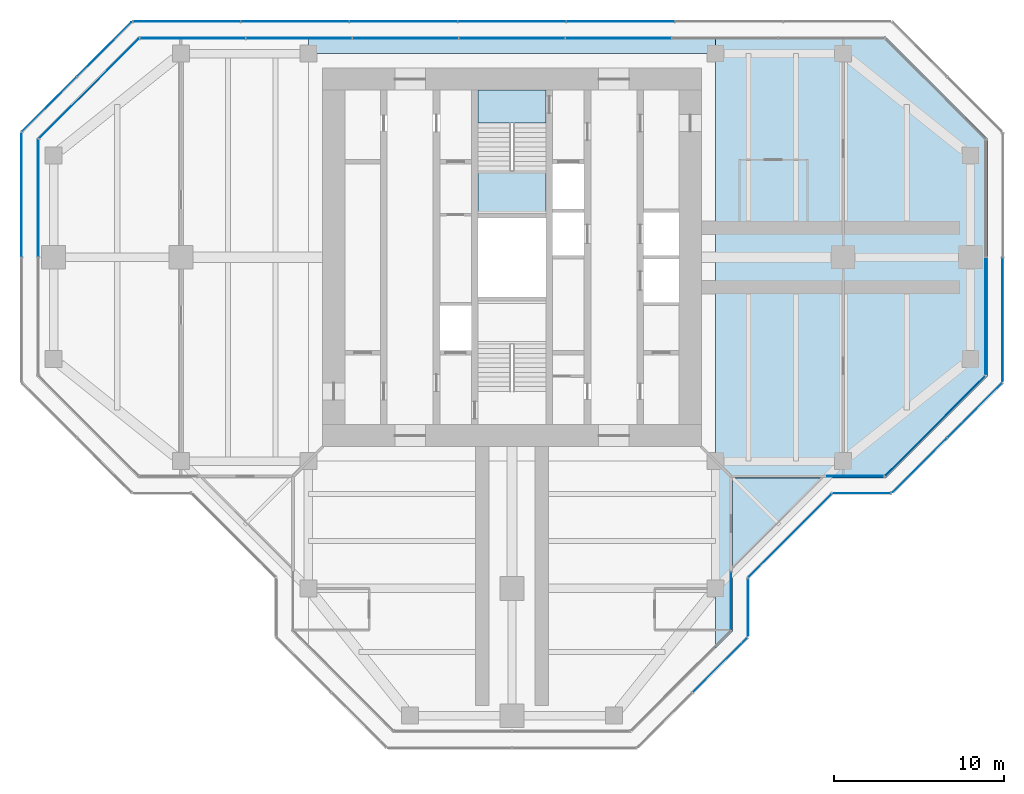
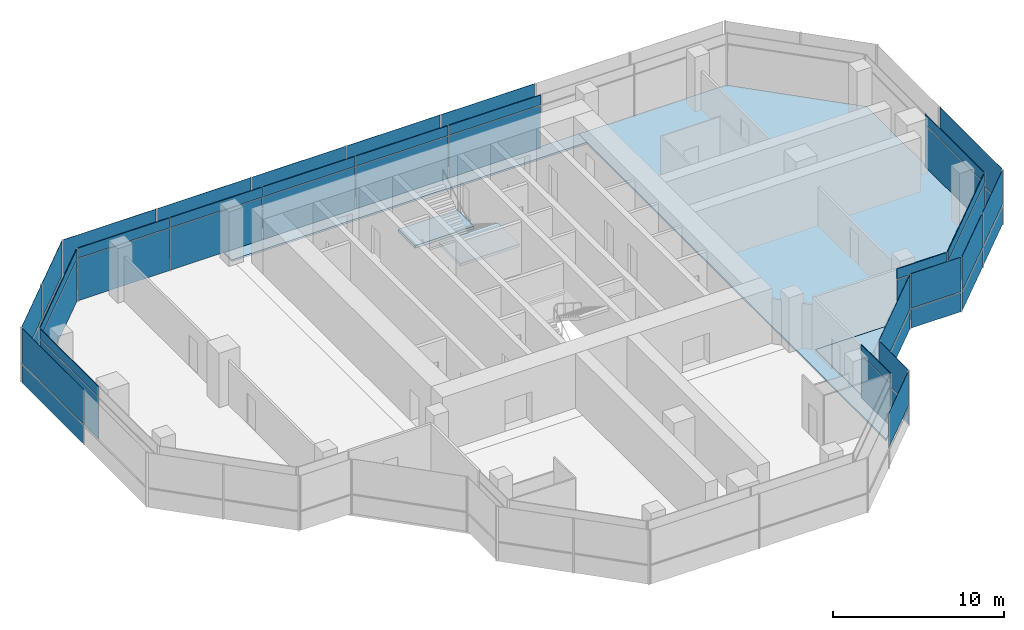
# One storey, part 10 of 15: 51 plates, 5 slabs, 17 elements without a shape of their own.
"""IFC4 building model written with IfcOpenShell, lengths in metres."""

from ifc_helpers import new_model, si_unit, direction, frame, origin, origin_2d, place, context, subcontext, project, spatial, polyline, rectangle, outline, extrude, material, layer, layer_set, type_object, element, aggregate, save


model = new_model("IFC4")

# Units and contexts
model_context = context("Model", 3, precision=1e-05, world=origin(), true_north=direction((0.0, 1.0)))
body_context = subcontext(model_context, "Body", "Model", "MODEL_VIEW")
ifc_project = project(units=[si_unit("LENGTHUNIT", "METRE"), si_unit("AREAUNIT", "SQUARE_METRE"), si_unit("VOLUMEUNIT", "CUBIC_METRE"), si_unit("PLANEANGLEUNIT", "RADIAN"), si_unit("MASSUNIT", "GRAM", prefix="KILO")], contexts=[model_context])

# Site, building, storey
site_placement = place(None, origin())
site = spatial("IfcSite", under=ifc_project, at=site_placement, CompositionType="ELEMENT")
building_placement = place(site_placement, origin())
building = spatial("IfcBuilding", under=site, at=building_placement, Name="Mizan Broadcast Tower", CompositionType="ELEMENT")
storey_placement = place(building_placement, frame((0.0, 0.0, 298.5)))
storey = spatial("IfcBuildingStorey", under=building, at=storey_placement, Name="L71", CompositionType="ELEMENT", Elevation=298.5)

# Slabs
ifc_material_1 = material(Name="Concrete C32/40", Category="concrete")
ifc_layer_1 = layer(ifc_material_1, 0.1298828125)
ifc_layer_set_1 = layer_set([ifc_layer_1], Name="Concrete C32/40")
slab_type_1 = type_object("IfcSlabType", Name="COMPOSITE DECK SLAB 130", PredefinedType="FLOOR", material=ifc_layer_set_1)
slab_1_placement = place(storey_placement, frame((0.0, 0.0, -0.1298828125)))
element("IfcSlab", 1, at=slab_1_placement, inside=storey, type_object=slab_type_1, Name="Floor slab L71 east arm", PredefinedType="FLOOR", context=body_context, shape_type="SweptSolid", body=[
    extrude(outline(polyline([(12.0, -23.0), (13.0, -22.0), (13.0, -13.0), (22.0, -13.0), (28.0, -7.0), (28.0, 7.0), (22.0, 13.0), (13.0, 13.0), (12.0, 13.0), (12.0, -23.0)])), origin(), (0.0, 0.0, 1.0), 0.1298828125),
])
slab_2_placement = place(storey_placement, frame((0.0, 0.0, -0.1298828125)))
element("IfcSlab", 2, at=slab_2_placement, inside=storey, type_object=slab_type_1, Name="Floor slab L71 north arm", PredefinedType="FLOOR", context=body_context, shape_type="SweptSolid", body=[
    extrude(outline(polyline([(12.0, 13.0), (-12.0, 13.0), (-12.0, 12.0), (12.0, 12.0), (12.0, 13.0)])), origin(), (0.0, 0.0, 1.0), 0.1298828125),
])

# Curtain wall, plate
ifc_material_2 = material(Name="Aluminium framed glazing", Category="aluminium")
curtain_wall_type_1 = type_object("IfcCurtainWallType", Name="INNER SKIN TOP ZONE", PredefinedType="USERDEFINED", material=ifc_material_2)
curtain_wall_1_placement = place(storey_placement, origin())
curtain_wall_1 = element("IfcCurtainWall", 3, at=curtain_wall_1_placement, inside=storey, type_object=curtain_wall_type_1, Name="Inner skin top zone L71 E side", ObjectType="INNER SKIN TOP ZONE", PredefinedType="USERDEFINED")
ifc_material_3 = material(Name="Double glazing, clear low-e", Category="glass")
ifc_layer_2 = layer(ifc_material_3, 0.028076171875)
ifc_layer_set_2 = layer_set([ifc_layer_2], Name="Double glazing, clear low-e")
plate_type_1 = type_object("IfcPlateType", Name="INNER SKIN GLAZING UNIT", PredefinedType="CURTAIN_PANEL", material=ifc_layer_set_2)
plate_1_placement = place(storey_placement, frame((20.229248046875, -12.89990234375, 0.0), z_axis=(0.0, 0.0, 1.0), x_axis=(1.0, 0.0, 0.0)))
plate_1 = element("IfcPlate", 4, at=plate_1_placement, type_object=plate_type_1, Name="Inner skin top zone L71 E side panel 1.1", PredefinedType="CURTAIN_PANEL", context=body_context, shape_type="SweptSolid", body=[
    extrude(rectangle(XDim=3.338623046875, YDim=0.028076171875, at=origin_2d()), origin(), (0.0, 0.0, 1.0), 3.0),
])

curtain_wall_2_placement = place(storey_placement, origin())
curtain_wall_2 = element("IfcCurtainWall", 5, at=curtain_wall_2_placement, inside=storey, type_object=curtain_wall_type_1, Name="Inner skin top zone L71 E chamfer", ObjectType="INNER SKIN TOP ZONE", PredefinedType="USERDEFINED")
plate_2_placement = place(storey_placement, frame((24.92919921875, -9.92919921875, 0.0), z_axis=(0.0, 0.0, 1.0), x_axis=(0.707106781187, 0.707106781187, 0.0)))
plate_2 = element("IfcPlate", 6, at=plate_2_placement, type_object=plate_type_1, Name="Inner skin top zone L71 E chamfer panel 1.1", PredefinedType="CURTAIN_PANEL", context=body_context, shape_type="SweptSolid", body=[
    extrude(rectangle(XDim=8.282470703125, YDim=0.028076171875, at=origin_2d()), origin(), (0.0, 0.0, 1.0), 3.0),
])

curtain_wall_3_placement = place(storey_placement, origin())
curtain_wall_3 = element("IfcCurtainWall", 7, at=curtain_wall_3_placement, inside=storey, type_object=curtain_wall_type_1, Name="Inner skin top zone L71 E end", ObjectType="INNER SKIN TOP ZONE", PredefinedType="USERDEFINED")
plate_3_placement = place(storey_placement, frame((27.89990234375, -3.46435546875, 0.0), z_axis=(0.0, 0.0, 1.0), x_axis=(0.0, 1.0, 0.0)))
plate_3 = element("IfcPlate", 8, at=plate_3_placement, type_object=plate_type_1, Name="Inner skin top zone L71 E end panel 1.1", PredefinedType="CURTAIN_PANEL", context=body_context, shape_type="SweptSolid", body=[
    extrude(rectangle(XDim=6.86865234375, YDim=0.028076171875, at=origin_2d()), origin(), (0.0, 0.0, 1.0), 3.0),
])

# Curtain wall, plates
curtain_wall_4_placement = place(storey_placement, origin())
curtain_wall_4 = element("IfcCurtainWall", 9, at=curtain_wall_4_placement, inside=storey, type_object=curtain_wall_type_1, Name="Inner skin top zone L71 N end", ObjectType="INNER SKIN TOP ZONE", PredefinedType="USERDEFINED")
plate_4_placement = place(storey_placement, frame((6.27392578125, 12.89990234375, 0.0), z_axis=(0.0, 0.0, 1.0), x_axis=(-1.0, 0.0, 0.0)))
plate_4 = element("IfcPlate", 10, at=plate_4_placement, type_object=plate_type_1, Name="Inner skin top zone L71 N end panel 3.1", PredefinedType="CURTAIN_PANEL", context=body_context, shape_type="SweptSolid", body=[
    extrude(rectangle(XDim=6.2138671875, YDim=0.028076171875, at=origin_2d()), origin(), (0.0, 0.0, 1.0), 3.0),
])
plate_5_placement = place(storey_placement, frame((0.0, 12.89990234375, 0.0), z_axis=(0.0, 0.0, 1.0), x_axis=(-1.0, 0.0, 0.0)))
plate_5 = element("IfcPlate", 11, at=plate_5_placement, type_object=plate_type_1, Name="Inner skin top zone L71 N end panel 4.1", PredefinedType="CURTAIN_PANEL", context=body_context, shape_type="SweptSolid", body=[
    extrude(rectangle(XDim=6.2138671875, YDim=0.028076171875, at=origin_2d()), origin(), (0.0, 0.0, 1.0), 3.0),
])
plate_6_placement = place(storey_placement, frame((-6.27392578125, 12.89990234375, 0.0), z_axis=(0.0, 0.0, 1.0), x_axis=(-1.0, 0.0, 0.0)))
plate_6 = element("IfcPlate", 12, at=plate_6_placement, type_object=plate_type_1, Name="Inner skin top zone L71 N end panel 5.1", PredefinedType="CURTAIN_PANEL", context=body_context, shape_type="SweptSolid", body=[
    extrude(rectangle(XDim=6.2138671875, YDim=0.028076171875, at=origin_2d()), origin(), (0.0, 0.0, 1.0), 3.0),
])
plate_7_placement = place(storey_placement, frame((-12.5478515625, 12.89990234375, 0.0), z_axis=(0.0, 0.0, 1.0), x_axis=(-1.0, 0.0, 0.0)))
plate_7 = element("IfcPlate", 13, at=plate_7_placement, type_object=plate_type_1, Name="Inner skin top zone L71 N end panel 6.1", PredefinedType="CURTAIN_PANEL", context=body_context, shape_type="SweptSolid", body=[
    extrude(rectangle(XDim=6.2138671875, YDim=0.028076171875, at=origin_2d()), origin(), (0.0, 0.0, 1.0), 3.0),
])
plate_8_placement = place(storey_placement, frame((-18.806640625, 12.89990234375, 0.0), z_axis=(0.0, 0.0, 1.0), x_axis=(-1.0, 0.0, 0.0)))
plate_8 = element("IfcPlate", 14, at=plate_8_placement, type_object=plate_type_1, Name="Inner skin top zone L71 N end panel 7.1", PredefinedType="CURTAIN_PANEL", context=body_context, shape_type="SweptSolid", body=[
    extrude(rectangle(XDim=6.183837890625, YDim=0.028076171875, at=origin_2d()), origin(), (0.0, 0.0, 1.0), 3.0),
])

# Curtain wall, plate
curtain_wall_5_placement = place(storey_placement, origin())
curtain_wall_5 = element("IfcCurtainWall", 15, at=curtain_wall_5_placement, inside=storey, type_object=curtain_wall_type_1, Name="Inner skin top zone L71 W chamfer", ObjectType="INNER SKIN TOP ZONE", PredefinedType="USERDEFINED")
plate_9_placement = place(storey_placement, frame((-24.92919921875, 9.92919921875, 0.0), z_axis=(0.0, 0.0, 1.0), x_axis=(-0.707106781187, -0.707106781187, 0.0)))
plate_9 = element("IfcPlate", 16, at=plate_9_placement, type_object=plate_type_1, Name="Inner skin top zone L71 W chamfer panel 1.1", PredefinedType="CURTAIN_PANEL", context=body_context, shape_type="SweptSolid", body=[
    extrude(rectangle(XDim=8.282470703125, YDim=0.028076171875, at=origin_2d()), origin(), (0.0, 0.0, 1.0), 3.0),
])

curtain_wall_6_placement = place(storey_placement, origin())
curtain_wall_6 = element("IfcCurtainWall", 17, at=curtain_wall_6_placement, inside=storey, type_object=curtain_wall_type_1, Name="Inner skin top zone L71 W end", ObjectType="INNER SKIN TOP ZONE", PredefinedType="USERDEFINED")
plate_10_placement = place(storey_placement, frame((-27.89990234375, 3.46435546875, 0.0), z_axis=(0.0, 0.0, 1.0), x_axis=(0.0, -1.0, 0.0)))
plate_10 = element("IfcPlate", 18, at=plate_10_placement, type_object=plate_type_1, Name="Inner skin top zone L71 W end panel 1.1", PredefinedType="CURTAIN_PANEL", context=body_context, shape_type="SweptSolid", body=[
    extrude(rectangle(XDim=6.86865234375, YDim=0.028076171875, at=origin_2d()), origin(), (0.0, 0.0, 1.0), 3.0),
])

curtain_wall_7_placement = place(storey_placement, origin())
curtain_wall_7 = element("IfcCurtainWall", 19, at=curtain_wall_7_placement, inside=storey, type_object=curtain_wall_type_1, Name="Inner skin top zone L71 S side", ObjectType="INNER SKIN TOP ZONE", PredefinedType="USERDEFINED")
plate_11_placement = place(storey_placement, frame((12.89990234375, -20.229248046875, 0.0), z_axis=(0.0, 0.0, 1.0), x_axis=(0.0, 1.0, 0.0)))
plate_11 = element("IfcPlate", 20, at=plate_11_placement, type_object=plate_type_1, Name="Inner skin top zone L71 S side panel 1.1", PredefinedType="CURTAIN_PANEL", context=body_context, shape_type="SweptSolid", body=[
    extrude(rectangle(XDim=3.338623046875, YDim=0.028076171875, at=origin_2d()), origin(), (0.0, 0.0, 1.0), 3.0),
])

# Plate
ifc_material_4 = material(Name="Insulated aluminium spandrel panel, pale anodised", Category="aluminium")
ifc_layer_3 = layer(ifc_material_4, 0.050048828125)
ifc_layer_set_3 = layer_set([ifc_layer_3], Name="Insulated aluminium spandrel panel, pale anodised")
plate_type_2 = type_object("IfcPlateType", Name="INNER SKIN SPANDREL PANEL", PredefinedType="CURTAIN_PANEL", material=ifc_layer_set_3)
plate_12_placement = place(storey_placement, frame((20.229248046875, -12.89990234375, 3.06005859375), z_axis=(0.0, 0.0, 1.0), x_axis=(1.0, 0.0, 0.0)))
plate_12 = element("IfcPlate", 21, at=plate_12_placement, type_object=plate_type_2, Name="Inner skin top zone L71 E side panel 1.2", PredefinedType="CURTAIN_PANEL", context=body_context, shape_type="SweptSolid", body=[
    extrude(rectangle(XDim=3.338623046875, YDim=0.050048828125, at=origin_2d()), origin(), (0.0, 0.0, 1.0), 0.7099609375),
])

aggregate(curtain_wall_1, [plate_1, plate_12])

plate_13_placement = place(storey_placement, frame((24.92919921875, -9.92919921875, 3.06005859375), z_axis=(0.0, 0.0, 1.0), x_axis=(0.707106781187, 0.707106781187, 0.0)))
plate_13 = element("IfcPlate", 22, at=plate_13_placement, type_object=plate_type_2, Name="Inner skin top zone L71 E chamfer panel 1.2", PredefinedType="CURTAIN_PANEL", context=body_context, shape_type="SweptSolid", body=[
    extrude(rectangle(XDim=8.282470703125, YDim=0.050048828125, at=origin_2d()), origin(), (0.0, 0.0, 1.0), 0.7099609375),
])

aggregate(curtain_wall_2, [plate_2, plate_13])

plate_14_placement = place(storey_placement, frame((27.89990234375, -3.46435546875, 3.06005859375), z_axis=(0.0, 0.0, 1.0), x_axis=(0.0, 1.0, 0.0)))
plate_14 = element("IfcPlate", 23, at=plate_14_placement, type_object=plate_type_2, Name="Inner skin top zone L71 E end panel 1.2", PredefinedType="CURTAIN_PANEL", context=body_context, shape_type="SweptSolid", body=[
    extrude(rectangle(XDim=6.86865234375, YDim=0.050048828125, at=origin_2d()), origin(), (0.0, 0.0, 1.0), 0.7099609375),
])

aggregate(curtain_wall_3, [plate_3, plate_14])

plate_15_placement = place(storey_placement, frame((6.27392578125, 12.89990234375, 3.06005859375), z_axis=(0.0, 0.0, 1.0), x_axis=(-1.0, 0.0, 0.0)))
plate_15 = element("IfcPlate", 24, at=plate_15_placement, type_object=plate_type_2, Name="Inner skin top zone L71 N end panel 3.2", PredefinedType="CURTAIN_PANEL", context=body_context, shape_type="SweptSolid", body=[
    extrude(rectangle(XDim=6.2138671875, YDim=0.050048828125, at=origin_2d()), origin(), (0.0, 0.0, 1.0), 0.7099609375),
])

plate_16_placement = place(storey_placement, frame((0.0, 12.89990234375, 3.06005859375), z_axis=(0.0, 0.0, 1.0), x_axis=(-1.0, 0.0, 0.0)))
plate_16 = element("IfcPlate", 25, at=plate_16_placement, type_object=plate_type_2, Name="Inner skin top zone L71 N end panel 4.2", PredefinedType="CURTAIN_PANEL", context=body_context, shape_type="SweptSolid", body=[
    extrude(rectangle(XDim=6.2138671875, YDim=0.050048828125, at=origin_2d()), origin(), (0.0, 0.0, 1.0), 0.7099609375),
])

plate_17_placement = place(storey_placement, frame((-6.27392578125, 12.89990234375, 3.06005859375), z_axis=(0.0, 0.0, 1.0), x_axis=(-1.0, 0.0, 0.0)))
plate_17 = element("IfcPlate", 26, at=plate_17_placement, type_object=plate_type_2, Name="Inner skin top zone L71 N end panel 5.2", PredefinedType="CURTAIN_PANEL", context=body_context, shape_type="SweptSolid", body=[
    extrude(rectangle(XDim=6.2138671875, YDim=0.050048828125, at=origin_2d()), origin(), (0.0, 0.0, 1.0), 0.7099609375),
])

plate_18_placement = place(storey_placement, frame((-12.5478515625, 12.89990234375, 3.06005859375), z_axis=(0.0, 0.0, 1.0), x_axis=(-1.0, 0.0, 0.0)))
plate_18 = element("IfcPlate", 27, at=plate_18_placement, type_object=plate_type_2, Name="Inner skin top zone L71 N end panel 6.2", PredefinedType="CURTAIN_PANEL", context=body_context, shape_type="SweptSolid", body=[
    extrude(rectangle(XDim=6.2138671875, YDim=0.050048828125, at=origin_2d()), origin(), (0.0, 0.0, 1.0), 0.7099609375),
])

plate_19_placement = place(storey_placement, frame((-18.806640625, 12.89990234375, 3.06005859375), z_axis=(0.0, 0.0, 1.0), x_axis=(-1.0, 0.0, 0.0)))
plate_19 = element("IfcPlate", 28, at=plate_19_placement, type_object=plate_type_2, Name="Inner skin top zone L71 N end panel 7.2", PredefinedType="CURTAIN_PANEL", context=body_context, shape_type="SweptSolid", body=[
    extrude(rectangle(XDim=6.183837890625, YDim=0.050048828125, at=origin_2d()), origin(), (0.0, 0.0, 1.0), 0.7099609375),
])

aggregate(curtain_wall_4, [plate_4, plate_15, plate_5, plate_16, plate_6, plate_17, plate_7, plate_18, plate_8, plate_19])

plate_20_placement = place(storey_placement, frame((-24.92919921875, 9.92919921875, 3.06005859375), z_axis=(0.0, 0.0, 1.0), x_axis=(-0.707106781187, -0.707106781187, 0.0)))
plate_20 = element("IfcPlate", 29, at=plate_20_placement, type_object=plate_type_2, Name="Inner skin top zone L71 W chamfer panel 1.2", PredefinedType="CURTAIN_PANEL", context=body_context, shape_type="SweptSolid", body=[
    extrude(rectangle(XDim=8.282470703125, YDim=0.050048828125, at=origin_2d()), origin(), (0.0, 0.0, 1.0), 0.7099609375),
])

aggregate(curtain_wall_5, [plate_9, plate_20])

plate_21_placement = place(storey_placement, frame((-27.89990234375, 3.46435546875, 3.06005859375), z_axis=(0.0, 0.0, 1.0), x_axis=(0.0, -1.0, 0.0)))
plate_21 = element("IfcPlate", 30, at=plate_21_placement, type_object=plate_type_2, Name="Inner skin top zone L71 W end panel 1.2", PredefinedType="CURTAIN_PANEL", context=body_context, shape_type="SweptSolid", body=[
    extrude(rectangle(XDim=6.86865234375, YDim=0.050048828125, at=origin_2d()), origin(), (0.0, 0.0, 1.0), 0.7099609375),
])

aggregate(curtain_wall_6, [plate_10, plate_21])

plate_22_placement = place(storey_placement, frame((12.89990234375, -20.229248046875, 3.06005859375), z_axis=(0.0, 0.0, 1.0), x_axis=(0.0, 1.0, 0.0)))
plate_22 = element("IfcPlate", 31, at=plate_22_placement, type_object=plate_type_2, Name="Inner skin top zone L71 S side panel 1.2", PredefinedType="CURTAIN_PANEL", context=body_context, shape_type="SweptSolid", body=[
    extrude(rectangle(XDim=3.338623046875, YDim=0.050048828125, at=origin_2d()), origin(), (0.0, 0.0, 1.0), 0.7099609375),
])

aggregate(curtain_wall_7, [plate_11, plate_22])

# Curtain wall, plates
ifc_material_5 = material(Name="Aluminium framed glazing", Category="aluminium")
curtain_wall_type_2 = type_object("IfcCurtainWallType", Name="OUTER SKIN", PredefinedType="USERDEFINED", material=ifc_material_5)
curtain_wall_8_placement = place(storey_placement, origin())
curtain_wall_8 = element("IfcCurtainWall", 32, at=curtain_wall_8_placement, inside=storey, type_object=curtain_wall_type_2, Name="Outer skin L71 S side", ObjectType="OUTER SKIN", PredefinedType="USERDEFINED")
ifc_material_6 = material(Name="Laminated clear glass", Category="glass")
ifc_layer_4 = layer(ifc_material_6, 0.02001953125)
ifc_layer_set_4 = layer_set([ifc_layer_4], Name="Laminated clear glass")
plate_type_3 = type_object("IfcPlateType", Name="OUTER SKIN CLEAR GLASS", PredefinedType="CURTAIN_PANEL", material=ifc_layer_set_4)
plate_23_placement = place(storey_placement, frame((13.89990234375, -20.622802734375, 0.0), z_axis=(0.0, 0.0, 1.0), x_axis=(0.0, 1.0, 0.0)))
plate_23 = element("IfcPlate", 33, at=plate_23_placement, type_object=plate_type_3, Name="Outer skin L71 S side panel 1.1", PredefinedType="CURTAIN_PANEL", context=body_context, shape_type="SweptSolid", body=[
    extrude(rectangle(XDim=3.340087890625, YDim=0.02001953125, at=origin_2d()), origin(), (0.0, 0.0, 1.0), 1.3701171875),
])
plate_24_placement = place(storey_placement, frame((13.89990234375, -20.622802734375, 1.43017578125), z_axis=(0.0, 0.0, 1.0), x_axis=(0.0, 1.0, 0.0)))
plate_24 = element("IfcPlate", 34, at=plate_24_placement, type_object=plate_type_3, Name="Outer skin L71 S side panel 1.2", PredefinedType="CURTAIN_PANEL", context=body_context, shape_type="SweptSolid", body=[
    extrude(rectangle(XDim=3.340087890625, YDim=0.02001953125, at=origin_2d()), origin(), (0.0, 0.0, 1.0), 2.469970703125),
])
aggregate(curtain_wall_8, [plate_23, plate_24])

curtain_wall_9_placement = place(storey_placement, origin())
curtain_wall_9 = element("IfcCurtainWall", 35, at=curtain_wall_9_placement, inside=storey, type_object=curtain_wall_type_2, Name="Outer skin L71 E chamfer", ObjectType="OUTER SKIN", PredefinedType="USERDEFINED")
plate_25_placement = place(storey_placement, frame((16.386474609375, -16.386474609375, 0.0), z_axis=(0.0, 0.0, 1.0), x_axis=(0.707106781187, 0.707106781187, 0.0)))
plate_25 = element("IfcPlate", 36, at=plate_25_placement, type_object=plate_type_3, Name="Outer skin L71 E chamfer panel 1.1", PredefinedType="CURTAIN_PANEL", context=body_context, shape_type="SweptSolid", body=[
    extrude(rectangle(XDim=6.87255859375, YDim=0.02001953125, at=origin_2d()), origin(), (0.0, 0.0, 1.0), 1.3701171875),
])
plate_26_placement = place(storey_placement, frame((16.386474609375, -16.386474609375, 1.43017578125), z_axis=(0.0, 0.0, 1.0), x_axis=(0.707106781187, 0.707106781187, 0.0)))
plate_26 = element("IfcPlate", 37, at=plate_26_placement, type_object=plate_type_3, Name="Outer skin L71 E chamfer panel 1.2", PredefinedType="CURTAIN_PANEL", context=body_context, shape_type="SweptSolid", body=[
    extrude(rectangle(XDim=6.87255859375, YDim=0.02001953125, at=origin_2d()), origin(), (0.0, 0.0, 1.0), 2.469970703125),
])
aggregate(curtain_wall_9, [plate_25, plate_26])

curtain_wall_10_placement = place(storey_placement, origin())
curtain_wall_10 = element("IfcCurtainWall", 38, at=curtain_wall_10_placement, inside=storey, type_object=curtain_wall_type_2, Name="Outer skin L71 E side", ObjectType="OUTER SKIN", PredefinedType="USERDEFINED")
plate_27_placement = place(storey_placement, frame((20.622802734375, -13.89990234375, 0.0), z_axis=(0.0, 0.0, 1.0), x_axis=(1.0, 0.0, 0.0)))
plate_27 = element("IfcPlate", 39, at=plate_27_placement, type_object=plate_type_3, Name="Outer skin L71 E side panel 1.1", PredefinedType="CURTAIN_PANEL", context=body_context, shape_type="SweptSolid", body=[
    extrude(rectangle(XDim=3.340087890625, YDim=0.02001953125, at=origin_2d()), origin(), (0.0, 0.0, 1.0), 1.3701171875),
])
plate_28_placement = place(storey_placement, frame((20.622802734375, -13.89990234375, 1.43017578125), z_axis=(0.0, 0.0, 1.0), x_axis=(1.0, 0.0, 0.0)))
plate_28 = element("IfcPlate", 40, at=plate_28_placement, type_object=plate_type_3, Name="Outer skin L71 E side panel 1.2", PredefinedType="CURTAIN_PANEL", context=body_context, shape_type="SweptSolid", body=[
    extrude(rectangle(XDim=3.340087890625, YDim=0.02001953125, at=origin_2d()), origin(), (0.0, 0.0, 1.0), 2.469970703125),
])
aggregate(curtain_wall_10, [plate_27, plate_28])

curtain_wall_11_placement = place(storey_placement, origin())
curtain_wall_11 = element("IfcCurtainWall", 41, at=curtain_wall_11_placement, inside=storey, type_object=curtain_wall_type_2, Name="Outer skin L71 E chamfer", ObjectType="OUTER SKIN", PredefinedType="USERDEFINED")
plate_29_placement = place(storey_placement, frame((24.018798828125, -12.254150390625, 0.0), z_axis=(0.0, 0.0, 1.0), x_axis=(0.707106781187, 0.707106781187, 0.0)))
plate_29 = element("IfcPlate", 42, at=plate_29_placement, type_object=plate_type_3, Name="Outer skin L71 E chamfer panel 1.1", PredefinedType="CURTAIN_PANEL", context=body_context, shape_type="SweptSolid", body=[
    extrude(rectangle(XDim=4.495361328125, YDim=0.02001953125, at=origin_2d()), origin(), (0.0, 0.0, 1.0), 1.3701171875),
])
plate_30_placement = place(storey_placement, frame((24.018798828125, -12.254150390625, 1.43017578125), z_axis=(0.0, 0.0, 1.0), x_axis=(0.707106781187, 0.707106781187, 0.0)))
plate_30 = element("IfcPlate", 43, at=plate_30_placement, type_object=plate_type_3, Name="Outer skin L71 E chamfer panel 1.2", PredefinedType="CURTAIN_PANEL", context=body_context, shape_type="SweptSolid", body=[
    extrude(rectangle(XDim=4.495361328125, YDim=0.02001953125, at=origin_2d()), origin(), (0.0, 0.0, 1.0), 2.469970703125),
])

curtain_wall_12_placement = place(storey_placement, origin())
curtain_wall_12 = element("IfcCurtainWall", 44, at=curtain_wall_12_placement, inside=storey, type_object=curtain_wall_type_2, Name="Outer skin L71 E end", ObjectType="OUTER SKIN", PredefinedType="USERDEFINED")
plate_31_placement = place(storey_placement, frame((28.89990234375, -3.66650390625, 0.0), z_axis=(0.0, 0.0, 1.0), x_axis=(0.0, 1.0, 0.0)))
plate_31 = element("IfcPlate", 45, at=plate_31_placement, type_object=plate_type_3, Name="Outer skin L71 E end panel 1.1", PredefinedType="CURTAIN_PANEL", context=body_context, shape_type="SweptSolid", body=[
    extrude(rectangle(XDim=7.252685546875, YDim=0.02001953125, at=origin_2d()), origin(), (0.0, 0.0, 1.0), 1.3701171875),
])
plate_32_placement = place(storey_placement, frame((28.89990234375, -3.66650390625, 1.43017578125), z_axis=(0.0, 0.0, 1.0), x_axis=(0.0, 1.0, 0.0)))
plate_32 = element("IfcPlate", 46, at=plate_32_placement, type_object=plate_type_3, Name="Outer skin L71 E end panel 1.2", PredefinedType="CURTAIN_PANEL", context=body_context, shape_type="SweptSolid", body=[
    extrude(rectangle(XDim=7.252685546875, YDim=0.02001953125, at=origin_2d()), origin(), (0.0, 0.0, 1.0), 2.469970703125),
])
aggregate(curtain_wall_12, [plate_31, plate_32])

curtain_wall_13_placement = place(storey_placement, origin())
curtain_wall_13 = element("IfcCurtainWall", 47, at=curtain_wall_13_placement, inside=storey, type_object=curtain_wall_type_2, Name="Outer skin L71 N end", ObjectType="OUTER SKIN", PredefinedType="USERDEFINED")
plate_33_placement = place(storey_placement, frame((6.392333984375, 13.89990234375, 0.0), z_axis=(0.0, 0.0, 1.0), x_axis=(-1.0, 0.0, 0.0)))
plate_33 = element("IfcPlate", 48, at=plate_33_placement, type_object=plate_type_3, Name="Outer skin L71 N end panel 3.1", PredefinedType="CURTAIN_PANEL", context=body_context, shape_type="SweptSolid", body=[
    extrude(rectangle(XDim=6.312255859375, YDim=0.02001953125, at=origin_2d()), origin(), (0.0, 0.0, 1.0), 1.3701171875),
])
plate_34_placement = place(storey_placement, frame((6.392333984375, 13.89990234375, 1.43017578125), z_axis=(0.0, 0.0, 1.0), x_axis=(-1.0, 0.0, 0.0)))
plate_34 = element("IfcPlate", 49, at=plate_34_placement, type_object=plate_type_3, Name="Outer skin L71 N end panel 3.2", PredefinedType="CURTAIN_PANEL", context=body_context, shape_type="SweptSolid", body=[
    extrude(rectangle(XDim=6.312255859375, YDim=0.02001953125, at=origin_2d()), origin(), (0.0, 0.0, 1.0), 2.469970703125),
])
plate_35_placement = place(storey_placement, frame((0.0, 13.89990234375, 0.0), z_axis=(0.0, 0.0, 1.0), x_axis=(-1.0, 0.0, 0.0)))
plate_35 = element("IfcPlate", 50, at=plate_35_placement, type_object=plate_type_3, Name="Outer skin L71 N end panel 4.1", PredefinedType="CURTAIN_PANEL", context=body_context, shape_type="SweptSolid", body=[
    extrude(rectangle(XDim=6.312255859375, YDim=0.02001953125, at=origin_2d()), origin(), (0.0, 0.0, 1.0), 1.3701171875),
])
plate_36_placement = place(storey_placement, frame((0.0, 13.89990234375, 1.43017578125), z_axis=(0.0, 0.0, 1.0), x_axis=(-1.0, 0.0, 0.0)))
plate_36 = element("IfcPlate", 51, at=plate_36_placement, type_object=plate_type_3, Name="Outer skin L71 N end panel 4.2", PredefinedType="CURTAIN_PANEL", context=body_context, shape_type="SweptSolid", body=[
    extrude(rectangle(XDim=6.312255859375, YDim=0.02001953125, at=origin_2d()), origin(), (0.0, 0.0, 1.0), 2.469970703125),
])
plate_37_placement = place(storey_placement, frame((-6.392333984375, 13.89990234375, 0.0), z_axis=(0.0, 0.0, 1.0), x_axis=(-1.0, 0.0, 0.0)))
plate_37 = element("IfcPlate", 52, at=plate_37_placement, type_object=plate_type_3, Name="Outer skin L71 N end panel 5.1", PredefinedType="CURTAIN_PANEL", context=body_context, shape_type="SweptSolid", body=[
    extrude(rectangle(XDim=6.312255859375, YDim=0.02001953125, at=origin_2d()), origin(), (0.0, 0.0, 1.0), 1.3701171875),
])
plate_38_placement = place(storey_placement, frame((-6.392333984375, 13.89990234375, 1.43017578125), z_axis=(0.0, 0.0, 1.0), x_axis=(-1.0, 0.0, 0.0)))
plate_38 = element("IfcPlate", 53, at=plate_38_placement, type_object=plate_type_3, Name="Outer skin L71 N end panel 5.2", PredefinedType="CURTAIN_PANEL", context=body_context, shape_type="SweptSolid", body=[
    extrude(rectangle(XDim=6.312255859375, YDim=0.02001953125, at=origin_2d()), origin(), (0.0, 0.0, 1.0), 2.469970703125),
])
plate_39_placement = place(storey_placement, frame((-12.784423828125, 13.89990234375, 0.0), z_axis=(0.0, 0.0, 1.0), x_axis=(-1.0, 0.0, 0.0)))
plate_39 = element("IfcPlate", 54, at=plate_39_placement, type_object=plate_type_3, Name="Outer skin L71 N end panel 6.1", PredefinedType="CURTAIN_PANEL", context=body_context, shape_type="SweptSolid", body=[
    extrude(rectangle(XDim=6.312255859375, YDim=0.02001953125, at=origin_2d()), origin(), (0.0, 0.0, 1.0), 1.3701171875),
])
plate_40_placement = place(storey_placement, frame((-12.784423828125, 13.89990234375, 1.43017578125), z_axis=(0.0, 0.0, 1.0), x_axis=(-1.0, 0.0, 0.0)))
plate_40 = element("IfcPlate", 55, at=plate_40_placement, type_object=plate_type_3, Name="Outer skin L71 N end panel 6.2", PredefinedType="CURTAIN_PANEL", context=body_context, shape_type="SweptSolid", body=[
    extrude(rectangle(XDim=6.312255859375, YDim=0.02001953125, at=origin_2d()), origin(), (0.0, 0.0, 1.0), 2.469970703125),
])
plate_41_placement = place(storey_placement, frame((-19.15673828125, 13.89990234375, 0.0), z_axis=(0.0, 0.0, 1.0), x_axis=(-1.0, 0.0, 0.0)))
plate_41 = element("IfcPlate", 56, at=plate_41_placement, type_object=plate_type_3, Name="Outer skin L71 N end panel 7.1", PredefinedType="CURTAIN_PANEL", context=body_context, shape_type="SweptSolid", body=[
    extrude(rectangle(XDim=6.272216796875, YDim=0.02001953125, at=origin_2d()), origin(), (0.0, 0.0, 1.0), 1.3701171875),
])
plate_42_placement = place(storey_placement, frame((-19.15673828125, 13.89990234375, 1.43017578125), z_axis=(0.0, 0.0, 1.0), x_axis=(-1.0, 0.0, 0.0)))
plate_42 = element("IfcPlate", 57, at=plate_42_placement, type_object=plate_type_3, Name="Outer skin L71 N end panel 7.2", PredefinedType="CURTAIN_PANEL", context=body_context, shape_type="SweptSolid", body=[
    extrude(rectangle(XDim=6.272216796875, YDim=0.02001953125, at=origin_2d()), origin(), (0.0, 0.0, 1.0), 2.469970703125),
])
aggregate(curtain_wall_13, [plate_33, plate_34, plate_35, plate_36, plate_37, plate_38, plate_39, plate_40, plate_41, plate_42])

curtain_wall_14_placement = place(storey_placement, origin())
curtain_wall_14 = element("IfcCurtainWall", 58, at=curtain_wall_14_placement, inside=storey, type_object=curtain_wall_type_2, Name="Outer skin L71 W chamfer", ObjectType="OUTER SKIN", PredefinedType="USERDEFINED")
plate_43_placement = place(storey_placement, frame((-24.018798828125, 12.254150390625, 0.0), z_axis=(0.0, 0.0, 1.0), x_axis=(-0.707106781187, -0.707106781187, 0.0)))
plate_43 = element("IfcPlate", 59, at=plate_43_placement, type_object=plate_type_3, Name="Outer skin L71 W chamfer panel 1.1", PredefinedType="CURTAIN_PANEL", context=body_context, shape_type="SweptSolid", body=[
    extrude(rectangle(XDim=4.495361328125, YDim=0.02001953125, at=origin_2d()), origin(), (0.0, 0.0, 1.0), 1.3701171875),
])
plate_44_placement = place(storey_placement, frame((-24.018798828125, 12.254150390625, 1.43017578125), z_axis=(0.0, 0.0, 1.0), x_axis=(-0.707106781187, -0.707106781187, 0.0)))
plate_44 = element("IfcPlate", 60, at=plate_44_placement, type_object=plate_type_3, Name="Outer skin L71 W chamfer panel 1.2", PredefinedType="CURTAIN_PANEL", context=body_context, shape_type="SweptSolid", body=[
    extrude(rectangle(XDim=4.495361328125, YDim=0.02001953125, at=origin_2d()), origin(), (0.0, 0.0, 1.0), 2.469970703125),
])

curtain_wall_15_placement = place(storey_placement, origin())
curtain_wall_15 = element("IfcCurtainWall", 61, at=curtain_wall_15_placement, inside=storey, type_object=curtain_wall_type_2, Name="Outer skin L71 W end", ObjectType="OUTER SKIN", PredefinedType="USERDEFINED")
plate_45_placement = place(storey_placement, frame((-28.89990234375, 3.66650390625, 0.0), z_axis=(0.0, 0.0, 1.0), x_axis=(0.0, -1.0, 0.0)))
plate_45 = element("IfcPlate", 62, at=plate_45_placement, type_object=plate_type_3, Name="Outer skin L71 W end panel 1.1", PredefinedType="CURTAIN_PANEL", context=body_context, shape_type="SweptSolid", body=[
    extrude(rectangle(XDim=7.252685546875, YDim=0.02001953125, at=origin_2d()), origin(), (0.0, 0.0, 1.0), 1.3701171875),
])
plate_46_placement = place(storey_placement, frame((-28.89990234375, 3.66650390625, 1.43017578125), z_axis=(0.0, 0.0, 1.0), x_axis=(0.0, -1.0, 0.0)))
plate_46 = element("IfcPlate", 63, at=plate_46_placement, type_object=plate_type_3, Name="Outer skin L71 W end panel 1.2", PredefinedType="CURTAIN_PANEL", context=body_context, shape_type="SweptSolid", body=[
    extrude(rectangle(XDim=7.252685546875, YDim=0.02001953125, at=origin_2d()), origin(), (0.0, 0.0, 1.0), 2.469970703125),
])
aggregate(curtain_wall_15, [plate_45, plate_46])

# Curtain wall, plate
curtain_wall_16_placement = place(storey_placement, origin())
curtain_wall_16 = element("IfcCurtainWall", 64, at=curtain_wall_16_placement, inside=storey, type_object=curtain_wall_type_2, Name="Outer skin L71 S chamfer", ObjectType="OUTER SKIN", PredefinedType="USERDEFINED")
ifc_material_7 = material(Name="Perforated aluminium, pale anodised", Category="aluminium")
ifc_layer_5 = layer(ifc_material_7, 0.011962890625)
ifc_layer_set_5 = layer_set([ifc_layer_5], Name="Perforated aluminium, pale anodised")
plate_type_4 = type_object("IfcPlateType", Name="OUTER SKIN PERFORATED SCREEN", PredefinedType="USERDEFINED", material=ifc_layer_set_5)
plate_47_placement = place(storey_placement, frame((12.254150390625, -24.018798828125, 1.43017578125), z_axis=(0.0, 0.0, 1.0), x_axis=(0.707106781187, 0.707106781187, 0.0)))
plate_47 = element("IfcPlate", 65, at=plate_47_placement, type_object=plate_type_4, Name="Outer skin L71 S chamfer panel 2.2", ObjectType="SCREEN", PredefinedType="USERDEFINED", context=body_context, shape_type="SweptSolid", body=[
    extrude(rectangle(XDim=4.495361328125, YDim=0.011962890625, at=origin_2d()), origin(), (0.0, 0.0, 1.0), 2.469970703125),
])
aggregate(curtain_wall_16, [plate_47])

# Plate
plate_48_placement = place(storey_placement, frame((27.254150390625, -9.018798828125, 0.0), z_axis=(0.0, 0.0, 1.0), x_axis=(0.707106781187, 0.707106781187, 0.0)))
plate_48 = element("IfcPlate", 66, at=plate_48_placement, type_object=plate_type_4, Name="Outer skin L71 E chamfer panel 2.1", ObjectType="SCREEN", PredefinedType="USERDEFINED", context=body_context, shape_type="SweptSolid", body=[
    extrude(rectangle(XDim=4.495361328125, YDim=0.011962890625, at=origin_2d()), origin(), (0.0, 0.0, 1.0), 1.3701171875),
])

plate_49_placement = place(storey_placement, frame((27.254150390625, -9.018798828125, 1.43017578125), z_axis=(0.0, 0.0, 1.0), x_axis=(0.707106781187, 0.707106781187, 0.0)))
plate_49 = element("IfcPlate", 67, at=plate_49_placement, type_object=plate_type_4, Name="Outer skin L71 E chamfer panel 2.2", ObjectType="SCREEN", PredefinedType="USERDEFINED", context=body_context, shape_type="SweptSolid", body=[
    extrude(rectangle(XDim=4.495361328125, YDim=0.011962890625, at=origin_2d()), origin(), (0.0, 0.0, 1.0), 2.469970703125),
])

aggregate(curtain_wall_11, [plate_29, plate_30, plate_48, plate_49])

plate_50_placement = place(storey_placement, frame((-27.254150390625, 9.018798828125, 0.0), z_axis=(0.0, 0.0, 1.0), x_axis=(-0.707106781187, -0.707106781187, 0.0)))
plate_50 = element("IfcPlate", 68, at=plate_50_placement, type_object=plate_type_4, Name="Outer skin L71 W chamfer panel 2.1", ObjectType="SCREEN", PredefinedType="USERDEFINED", context=body_context, shape_type="SweptSolid", body=[
    extrude(rectangle(XDim=4.495361328125, YDim=0.011962890625, at=origin_2d()), origin(), (0.0, 0.0, 1.0), 1.3701171875),
])

plate_51_placement = place(storey_placement, frame((-27.254150390625, 9.018798828125, 1.43017578125), z_axis=(0.0, 0.0, 1.0), x_axis=(-0.707106781187, -0.707106781187, 0.0)))
plate_51 = element("IfcPlate", 69, at=plate_51_placement, type_object=plate_type_4, Name="Outer skin L71 W chamfer panel 2.2", ObjectType="SCREEN", PredefinedType="USERDEFINED", context=body_context, shape_type="SweptSolid", body=[
    extrude(rectangle(XDim=4.495361328125, YDim=0.011962890625, at=origin_2d()), origin(), (0.0, 0.0, 1.0), 2.469970703125),
])

aggregate(curtain_wall_14, [plate_43, plate_44, plate_50, plate_51])

# Stair, slabs
ifc_material_8 = material(Name="Concrete C40/50", Category="concrete")
stair_type = type_object("IfcStairType", Name="EXIT STAIR", PredefinedType="HALF_TURN_STAIR", material=ifc_material_8)
stair_placement = place(storey_placement, origin())
stair = element("IfcStair", 70, at=stair_placement, inside=storey, type_object=stair_type, Name="Stair B L71", PredefinedType="HALF_TURN_STAIR")
ifc_material_9 = material(Name="Concrete C40/50", Category="concrete")
ifc_layer_6 = layer(ifc_material_9, 0.199951171875)
ifc_layer_set_6 = layer_set([ifc_layer_6], Name="Concrete C40/50")
slab_type_2 = type_object("IfcSlabType", Name="STAIR LANDING 200", PredefinedType="LANDING", material=ifc_layer_set_6)
slab_3_placement = place(storey_placement, frame((0.0, 0.0, -0.199951171875)))
slab_3 = element("IfcSlab", 71, at=slab_3_placement, type_object=slab_type_2, Name="B landing 1", PredefinedType="LANDING", context=body_context, shape_type="SweptSolid", body=[
    extrude(outline(polyline([(2.0, 9.85009765625), (2.0, 7.89990234375), (-2.0, 7.89990234375), (-2.0, 9.85009765625), (2.0, 9.85009765625)])), origin(), (0.0, 0.0, 1.0), 0.199951171875),
])
slab_4_placement = place(storey_placement, frame((0.0, 0.0, 1.75)))
slab_4 = element("IfcSlab", 72, at=slab_4_placement, type_object=slab_type_2, Name="B landing 2", PredefinedType="LANDING", context=body_context, shape_type="SweptSolid", body=[
    extrude(outline(polyline([(2.0, 5.10009765625), (2.0, 2.574951171875), (-2.0, 2.574951171875), (-2.0, 5.10009765625), (2.0, 5.10009765625)])), origin(), (0.0, 0.0, 1.0), 0.199951171875),
])
aggregate(stair, [slab_3, slab_4])

# Slab
ifc_material_10 = material(Name="Concrete C32/40", Category="concrete")
ifc_layer_7 = layer(ifc_material_10, 0.1298828125)
ifc_layer_set_7 = layer_set([ifc_layer_7], Name="Concrete C32/40")
slab_type_3 = type_object("IfcSlabType", Name="WINTER GARDEN SLAB 130", PredefinedType="FLOOR", material=ifc_layer_set_7)
slab_5_placement = place(storey_placement, frame((0.0, 0.0, -0.1298828125)))
element("IfcSlab", 73, at=slab_5_placement, inside=storey, type_object=slab_type_3, Name="Winter garden slab L71 S", PredefinedType="FLOOR", context=body_context, shape_type="SweptSolid", body=[
    extrude(outline(polyline([(13.0, -13.0), (13.0, -18.5), (18.5, -13.0), (13.0, -13.0)])), origin(), (0.0, 0.0, 1.0), 0.1298828125),
])

save(model, "model.ifc")
